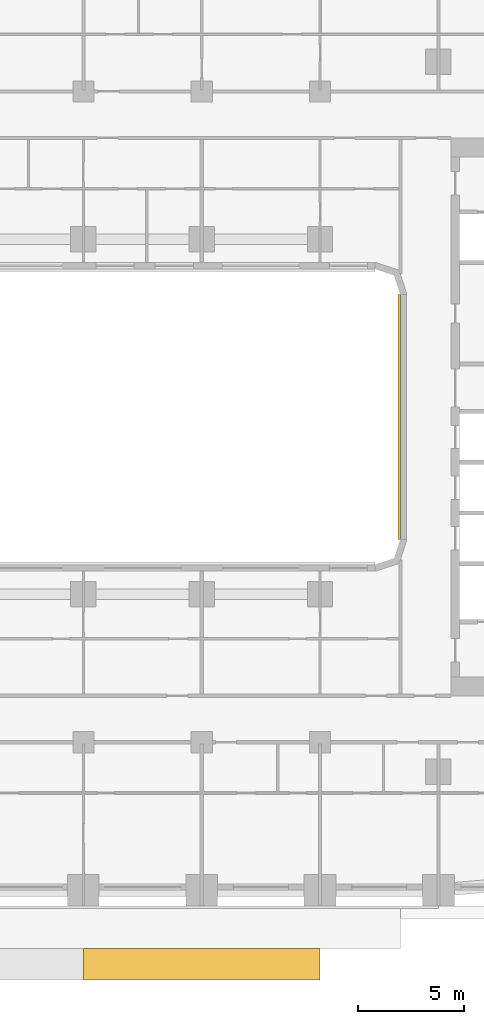
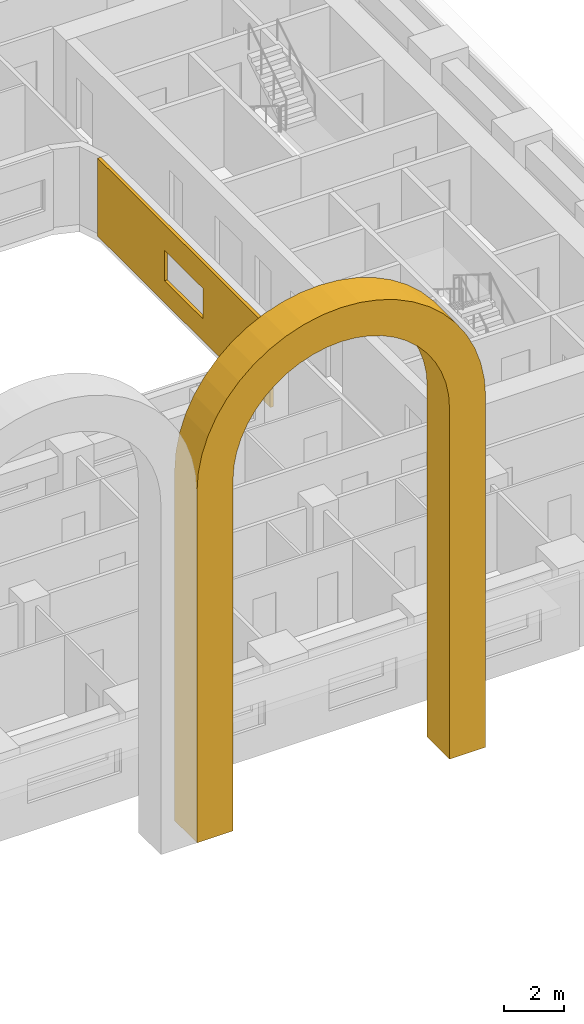
# One storey, part 15 of 21: 2 coverings.
"""IFC4 building model written with IfcOpenShell, lengths in metres."""

from ifc_helpers import new_model, si_unit, direction, frame, origin, place, context, subcontext, project, spatial, polyline, outline, extrude, material, layer, layer_set, type_object, element, save


model = new_model("IFC4")

# Units and contexts
model_context = context("Model", 3, precision=1e-05, world=origin(), true_north=direction((0.0, 1.0)))
body_context = subcontext(model_context, "Body", "Model", "MODEL_VIEW")
ifc_project = project(units=[si_unit("LENGTHUNIT", "METRE"), si_unit("AREAUNIT", "SQUARE_METRE"), si_unit("VOLUMEUNIT", "CUBIC_METRE"), si_unit("PLANEANGLEUNIT", "RADIAN"), si_unit("MASSUNIT", "GRAM", prefix="KILO")], contexts=[model_context])

# Site, building, storey
site_placement = place(None, origin())
site = spatial("IfcSite", under=ifc_project, at=site_placement, CompositionType="ELEMENT")
building_placement = place(site_placement, origin())
building = spatial("IfcBuilding", under=site, at=building_placement, Name="Kiln Ring Residences", CompositionType="ELEMENT")
storey_placement = place(building_placement, frame((0.0, 0.0, 51.5)))
storey = spatial("IfcBuildingStorey", under=building, at=storey_placement, Name="L12", CompositionType="ELEMENT", Elevation=51.5)

# Coverings
ifc_material_1 = material(Name="Brick masonry, dark clay brick", Category="masonry")
ifc_layer_1 = layer(ifc_material_1, 1.39990234375)
ifc_layer_set_1 = layer_set([ifc_layer_1], Name="ARCH SURROUND 1500")
covering_type_1 = type_object("IfcCoveringType", Name="ARCH SURROUND 1500", PredefinedType="CLADDING", material=ifc_layer_set_1)
covering_1_placement = place(storey_placement, frame((11.199951171875, -25.89990234375, 0.0), z_axis=(0.0, 0.0, 1.0), x_axis=(-1.0, 0.0, 0.0)))
element("IfcCovering", 1, at=covering_1_placement, inside=storey, type_object=covering_type_1, Name="ARCH SURROUND Z1 S2.2", PredefinedType="CLADDING", context=body_context, shape_type="SweptSolid", body=[
    extrude(outline(polyline([(11.199951171875, 0.0), (11.199951171875, 14.39990234375), (11.152099609375, 15.130859375), (11.00927734375, 15.849365234375), (10.773681640625, 16.54296875), (10.44970703125, 17.199951171875), (10.042724609375, 17.80908203125), (9.559814453125, 18.35986328125), (9.009033203125, 18.8427734375), (8.39990234375, 19.249755859375), (7.742919921875, 19.57373046875), (7.04931640625, 19.80908203125), (6.330810546875, 19.9521484375), (5.60009765625, 20.0), (4.869140625, 19.9521484375), (4.150634765625, 19.80908203125), (3.45703125, 19.57373046875), (2.800048828125, 19.249755859375), (2.19091796875, 18.8427734375), (1.64013671875, 18.35986328125), (1.1572265625, 17.80908203125), (0.750244140625, 17.199951171875), (0.42626953125, 16.54296875), (0.19091796875, 15.849365234375), (0.0478515625, 15.130859375), (0.0, 14.39990234375), (0.0, 0.0), (1.39990234375, 0.0), (1.39990234375, 14.39990234375), (1.435791015625, 14.9482421875), (1.543212890625, 15.487060546875), (1.7197265625, 16.00732421875), (1.962646484375, 16.5), (2.267822265625, 16.956787109375), (2.630126953125, 17.369873046875), (3.043212890625, 17.732177734375), (3.5, 18.037353515625), (3.99267578125, 18.2802734375), (4.512939453125, 18.456787109375), (5.0517578125, 18.564208984375), (5.60009765625, 18.60009765625), (6.148193359375, 18.564208984375), (6.68701171875, 18.456787109375), (7.207275390625, 18.2802734375), (7.699951171875, 18.037353515625), (8.15673828125, 17.732177734375), (8.56982421875, 17.369873046875), (8.93212890625, 16.956787109375), (9.2373046875, 16.5), (9.480224609375, 16.00732421875), (9.656982421875, 15.487060546875), (9.76416015625, 14.9482421875), (9.800048828125, 14.39990234375), (9.800048828125, 0.0), (11.199951171875, 0.0)])), frame((0.0, 0.75, 0.0), z_axis=(0.0, -1.0, 0.0), x_axis=(1.0, 0.0, 0.0)), (0.0, 0.0, 1.0), 1.5),
])
ifc_material_2 = material(Name="Brick masonry, dark clay brick", Category="masonry")
ifc_layer_2 = layer(ifc_material_2, 0.1201171875)
ifc_layer_set_2 = layer_set([ifc_layer_2], Name="RAINSCREEN PANEL 120")
covering_type_2 = type_object("IfcCoveringType", Name="RAINSCREEN PANEL 120", PredefinedType="CLADDING", material=ifc_layer_set_2)
covering_2_placement = place(storey_placement, frame((14.93994140625, 5.800048828125, 0.0), z_axis=(0.0, 0.0, 1.0), x_axis=(0.0, -1.0, 0.0)))
element("IfcCovering", 2, at=covering_2_placement, inside=storey, type_object=covering_type_2, Name="RAINSCREEN L12", PredefinedType="CLADDING", context=body_context, shape_type="SweptSolid", body=[
    extrude(outline(polyline([(0.0, 0.0), (11.60009765625, 0.0), (11.60009765625, 3.199951171875), (0.0, 3.199951171875), (0.0, 0.0)]), holes=[polyline([(4.5, 2.14990234375), (4.5, 0.89990234375), (7.10009765625, 0.89990234375), (7.10009765625, 2.14990234375), (4.5, 2.14990234375)])]), frame((0.0, 0.06005859375, 0.0), z_axis=(0.0, -1.0, 0.0), x_axis=(1.0, 0.0, 0.0)), (0.0, 0.0, 1.0), 0.1201171875),
])

save(model, "model.ifc")
